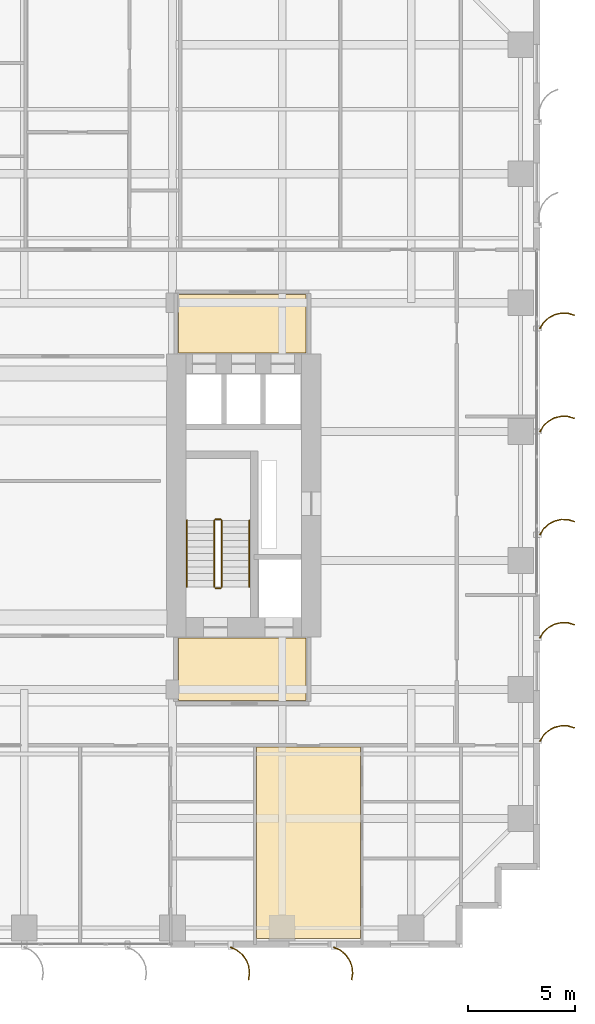
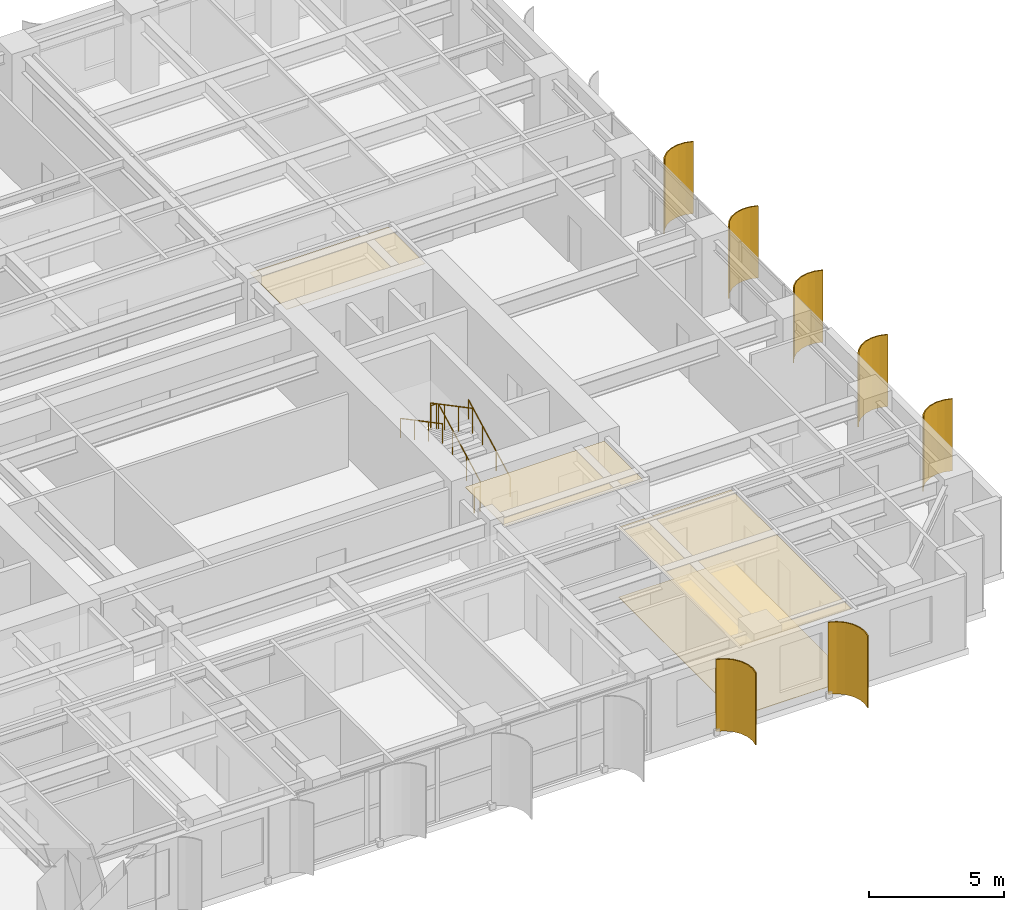
# One storey, part 23 of 24: 7 shading devices, 6 railings, 4 coverings.
"""IFC4 building model written with IfcOpenShell, lengths in metres."""

from ifc_helpers import new_model, si_unit, direction, frame, origin, origin_2d, place, context, subcontext, project, spatial, polyline, circle, outline, extrude, source, transform, mapped, material, layer, layer_set, type_object, element, save


model = new_model("IFC4")

# Units and contexts
model_context = context("Model", 3, precision=1e-05, world=origin(), true_north=direction((0.0, 1.0)))
body_context = subcontext(model_context, "Body", "Model", "MODEL_VIEW")
ifc_project = project(units=[si_unit("LENGTHUNIT", "METRE"), si_unit("AREAUNIT", "SQUARE_METRE"), si_unit("VOLUMEUNIT", "CUBIC_METRE"), si_unit("PLANEANGLEUNIT", "RADIAN"), si_unit("MASSUNIT", "GRAM", prefix="KILO")], contexts=[model_context])

# Site, building, storey
site_placement = place(None, origin())
site = spatial("IfcSite", under=ifc_project, at=site_placement, CompositionType="ELEMENT")
building_placement = place(site_placement, origin())
building = spatial("IfcBuilding", under=site, at=building_placement, Name="Khoralis Quay Care Tower", CompositionType="ELEMENT")
storey_placement = place(building_placement, frame((0.0, 0.0, 40.5)))
storey = spatial("IfcBuildingStorey", under=building, at=storey_placement, Name="L10", CompositionType="ELEMENT", Elevation=40.5)

# Coverings
ifc_material_1 = material(Name="Mineral-fibre acoustic ceiling tile")
ifc_layer_1 = layer(ifc_material_1, 0.01806640625)
ifc_layer_set_1 = layer_set([ifc_layer_1], Name="Mineral-fibre acoustic ceiling tile")
covering_type_1 = type_object("IfcCoveringType", Name="COV-CEIL-AC18", PredefinedType="CEILING", material=ifc_layer_set_1)
covering_1_placement = place(storey_placement, frame((0.0, 0.0, 3.172119140625)))
element("IfcCovering", 1, at=covering_1_placement, inside=storey, type_object=covering_type_1, Name="Suspended Acoustic Ceiling SP-L10-FFLOB-E", PredefinedType="CEILING", context=body_context, shape_type="SweptSolid", body=[
    extrude(outline(polyline([(31.179931640625, 11.47998046875), (37.1201171875, 11.47998046875), (37.1201171875, 14.39990234375), (31.179931640625, 14.39990234375), (31.179931640625, 11.47998046875)])), origin(), (0.0, 0.0, 1.0), 0.017822265625),
])
covering_2_placement = place(storey_placement, frame((0.0, 0.0, 3.172119140625)))
element("IfcCovering", 2, at=covering_2_placement, inside=storey, type_object=covering_type_1, Name="Suspended Acoustic Ceiling SP-L10-LLOB-E", PredefinedType="CEILING", context=body_context, shape_type="SweptSolid", body=[
    extrude(outline(polyline([(31.179931640625, 27.64990234375), (37.1201171875, 27.64990234375), (37.1201171875, 30.389892578125), (31.179931640625, 30.389892578125), (31.179931640625, 27.64990234375)])), origin(), (0.0, 0.0, 1.0), 0.017822265625),
])
covering_3_placement = place(storey_placement, frame((0.0, 0.0, 3.172119140625)))
element("IfcCovering", 3, at=covering_3_placement, inside=storey, type_object=covering_type_1, Name="Suspended Acoustic Ceiling SP-L10-SB-LIV4", PredefinedType="CEILING", context=body_context, shape_type="SweptSolid", body=[
    extrude(outline(polyline([(34.81005859375, 0.419921875), (39.636962890625, 0.419921875), (39.636962890625, 9.320068359375), (34.81005859375, 9.320068359375), (34.81005859375, 0.419921875)])), origin(), (0.0, 0.0, 1.0), 0.017822265625),
])
ifc_material_2 = material(Name="Porcelain and non-slip vinyl flooring")
ifc_layer_2 = layer(ifc_material_2, 0.02001953125)
ifc_layer_set_2 = layer_set([ifc_layer_2], Name="Porcelain and non-slip vinyl flooring")
covering_type_2 = type_object("IfcCoveringType", Name="COV-FLOOR-20", PredefinedType="FLOORING", material=ifc_layer_set_2)
covering_4_placement = place(storey_placement, origin())
element("IfcCovering", 4, at=covering_4_placement, inside=storey, type_object=covering_type_2, Name="Resilient Healthcare Flooring SP-L10-SB-LIV4", PredefinedType="FLOORING", context=body_context, shape_type="SweptSolid", body=[
    extrude(outline(polyline([(34.81005859375, 0.419921875), (39.636962890625, 0.419921875), (39.636962890625, 9.320068359375), (34.81005859375, 9.320068359375), (34.81005859375, 0.419921875)])), origin(), (0.0, 0.0, 1.0), 0.02001953125),
])

# Railings
ifc_material_3 = material(Name="Brushed stainless steel", Category="steel")
railing_type_1 = type_object("IfcRailingType", Name="RL-GUARD-1150", PredefinedType="GUARDRAIL", material=ifc_material_3)
railing_1_placement = place(storey_placement, frame((33.18994140625, 16.77001953125, 0.16357421875)))
element("IfcRailing", 5, at=railing_1_placement, inside=storey, type_object=railing_type_1, Name="L10 ST-T2 stair guard 1", PredefinedType="GUARDRAIL", context=body_context, shape_type="SweptSolid", body=[
    extrude(circle(Radius=0.02392578125, at=origin_2d()), frame((0.0, 0.0, 1.1259765625), z_axis=(0.0, 0.884348015382, 0.466828220752), x_axis=(-1.0, 0.0, 0.0)), (0.0, 0.0, 1.0), 3.505615234375),
    extrude(circle(Radius=0.02099609375, at=origin_2d()), origin(), (0.0, 0.0, 1.0), 1.101806640625),
    extrude(circle(Radius=0.02099609375, at=origin_2d()), frame((0.0, 1.033447265625, 0.54541015625)), (0.0, 0.0, 1.0), 1.101806640625),
    extrude(circle(Radius=0.02099609375, at=origin_2d()), frame((0.0, 2.066650390625, 1.091064453125)), (0.0, 0.0, 1.0), 1.101806640625),
    extrude(circle(Radius=0.02099609375, at=origin_2d()), frame((0.0, 3.10009765625, 1.636474609375)), (0.0, 0.0, 1.0), 1.101806640625),
])
railing_2_placement = place(storey_placement, frame((33.139892578125, 19.919921875, 1.800048828125)))
element("IfcRailing", 6, at=railing_2_placement, inside=storey, type_object=railing_type_1, Name="L10 ST-T2 stair guard 2", PredefinedType="GUARDRAIL", context=body_context, shape_type="SweptSolid", body=[
    extrude(circle(Radius=0.02392578125, at=origin_2d()), frame((0.0, 0.0, 1.1259765625), z_axis=(-1.0, 0.0, 0.0), x_axis=(0.0, -1.0, 0.0)), (0.0, 0.0, 1.0), 0.239990234375),
    extrude(circle(Radius=0.02099609375, at=origin_2d()), origin(), (0.0, 0.0, 1.0), 1.101806640625),
    extrude(circle(Radius=0.02099609375, at=origin_2d()), frame((-0.239990234375, 0.0, 0.0)), (0.0, 0.0, 1.0), 1.101806640625),
])
railing_3_placement = place(storey_placement, frame((32.85009765625, 19.8701171875, 1.963623046875)))
element("IfcRailing", 7, at=railing_3_placement, inside=storey, type_object=railing_type_1, Name="L10 ST-T2 stair guard 3", PredefinedType="GUARDRAIL", context=body_context, shape_type="SweptSolid", body=[
    extrude(circle(Radius=0.02392578125, at=origin_2d()), frame((0.0, 0.0, 1.1259765625), z_axis=(0.0, -0.884348015382, 0.466828220752), x_axis=(1.0, 0.0, 0.0)), (0.0, 0.0, 1.0), 3.505615234375),
    extrude(circle(Radius=0.02099609375, at=origin_2d()), origin(), (0.0, 0.0, 1.0), 1.101806640625),
    extrude(circle(Radius=0.02099609375, at=origin_2d()), frame((0.0, -1.033447265625, 0.54541015625)), (0.0, 0.0, 1.0), 1.101806640625),
    extrude(circle(Radius=0.02099609375, at=origin_2d()), frame((0.0, -2.066650390625, 1.091064453125)), (0.0, 0.0, 1.0), 1.101806640625),
    extrude(circle(Radius=0.02099609375, at=origin_2d()), frame((0.0, -3.10009765625, 1.636474609375)), (0.0, 0.0, 1.0), 1.101806640625),
])
railing_4_placement = place(storey_placement, frame((33.139892578125, 16.719970703125, 0.0)))
element("IfcRailing", 8, at=railing_4_placement, inside=storey, type_object=railing_type_1, Name="L10 ST-T2 stair guard 4", PredefinedType="GUARDRAIL", context=body_context, shape_type="SweptSolid", body=[
    extrude(circle(Radius=0.02392578125, at=origin_2d()), frame((0.0, 0.0, 1.1259765625), z_axis=(-1.0, 0.0, 0.0), x_axis=(0.0, -1.0, 0.0)), (0.0, 0.0, 1.0), 0.239990234375),
    extrude(circle(Radius=0.02099609375, at=origin_2d()), origin(), (0.0, 0.0, 1.0), 1.101806640625),
    extrude(circle(Radius=0.02099609375, at=origin_2d()), frame((-0.239990234375, 0.0, 0.0)), (0.0, 0.0, 1.0), 1.101806640625),
])
railing_type_2 = type_object("IfcRailingType", Name="RL-HAND-900", PredefinedType="HANDRAIL", material=ifc_material_3)
railing_5_placement = place(storey_placement, frame((34.469970703125, 16.77001953125, 0.16357421875)))
element("IfcRailing", 9, at=railing_5_placement, inside=storey, type_object=railing_type_2, Name="L10 ST-T2 stair handrail 1", PredefinedType="HANDRAIL", context=body_context, shape_type="SweptSolid", body=[
    extrude(circle(Radius=0.02392578125, at=origin_2d()), frame((0.0, 0.0, 0.8759765625), z_axis=(0.0, 0.884348015382, 0.466828220752), x_axis=(-1.0, 0.0, 0.0)), (0.0, 0.0, 1.0), 3.505615234375),
    extrude(circle(Radius=0.02099609375, at=origin_2d()), origin(), (0.0, 0.0, 1.0), 0.851806640625),
    extrude(circle(Radius=0.02099609375, at=origin_2d()), frame((0.0, 1.033447265625, 0.54541015625)), (0.0, 0.0, 1.0), 0.851806640625),
    extrude(circle(Radius=0.02099609375, at=origin_2d()), frame((0.0, 2.066650390625, 1.091064453125)), (0.0, 0.0, 1.0), 0.851806640625),
    extrude(circle(Radius=0.02099609375, at=origin_2d()), frame((0.0, 3.10009765625, 1.636474609375)), (0.0, 0.0, 1.0), 0.851806640625),
])
railing_6_placement = place(storey_placement, frame((31.570068359375, 19.8701171875, 1.963623046875)))
element("IfcRailing", 10, at=railing_6_placement, inside=storey, type_object=railing_type_2, Name="L10 ST-T2 stair handrail 2", PredefinedType="HANDRAIL", context=body_context, shape_type="SweptSolid", body=[
    extrude(circle(Radius=0.02392578125, at=origin_2d()), frame((0.0, 0.0, 0.8759765625), z_axis=(0.0, -0.884348015382, 0.466828220752), x_axis=(1.0, 0.0, 0.0)), (0.0, 0.0, 1.0), 3.505615234375),
    extrude(circle(Radius=0.02099609375, at=origin_2d()), origin(), (0.0, 0.0, 1.0), 0.851806640625),
    extrude(circle(Radius=0.02099609375, at=origin_2d()), frame((0.0, -1.033447265625, 0.54541015625)), (0.0, 0.0, 1.0), 0.851806640625),
    extrude(circle(Radius=0.02099609375, at=origin_2d()), frame((0.0, -2.066650390625, 1.091064453125)), (0.0, 0.0, 1.0), 0.851806640625),
    extrude(circle(Radius=0.02099609375, at=origin_2d()), frame((0.0, -3.10009765625, 1.636474609375)), (0.0, 0.0, 1.0), 0.851806640625),
])

# Shading devices
ifc_material_4 = material(Name="Brushed pale anodised aluminium", Category="aluminium")
ifc_layer_3 = layer(ifc_material_4, 0.044921875)
ifc_layer_set_3 = layer_set([ifc_layer_3], Name="Brushed pale anodised aluminium")
shading_device_type = type_object("IfcShadingDeviceType", Name="SHD-FIN-1250", PredefinedType="USERDEFINED", material=ifc_layer_set_3)
shared_shape_1 = source(origin(), body_context, "Body", "SweptSolid", [
    extrude(outline(polyline([(0.0, 0.0), (0.130126953125, 0.29931640625), (0.333251953125, 0.5546875), (0.595458984375, 0.748779296875), (0.899169921875, 0.868408203125), (1.223388671875, 0.9052734375), (1.546142578125, 0.85693359375), (1.53369140625, 0.813720703125), (1.22265625, 0.8603515625), (0.91015625, 0.82470703125), (0.617431640625, 0.70947265625), (0.364501953125, 0.522216796875), (0.168701171875, 0.276123046875), (0.043212890625, -0.012451171875), (0.0, 0.0)])), origin(), (0.0, 0.0, 1.0), 3.260009765625),
])
for number, where, z_axis, x_axis, name in (
    (11, (33.60009765625, 0.030029296875, 0.02001953125), (0.0, 0.0, 1.0), (0.0, -1.0, 0.0), "L10 Curved Solar Fin P1E0-06"),
    (12, (38.39990234375, 0.030029296875, 0.02001953125), (0.0, 0.0, 1.0), (0.0, -1.0, 0.0), "L10 Curved Solar Fin P1E0-07"),
):
    element("IfcShadingDevice", number, at=place(storey_placement, frame(where, z_axis=z_axis, x_axis=x_axis)), inside=storey, type_object=shading_device_type, Name=name, ObjectType="FIN", PredefinedType="USERDEFINED", context=body_context, shape_type="MappedRepresentation", body=[
        mapped(shared_shape_1, transform((0.0, 0.0, 0.0), scale=1.0)),
    ])
shared_shape_2 = source(origin(), body_context, "Body", "SweptSolid", [
    extrude(outline(polyline([(0.0, 0.0), (0.17041015625, 0.2783203125), (0.4072265625, 0.5029296875), (0.694091796875, 0.658447265625), (1.01123046875, 0.734619140625), (1.33740234375, 0.72607421875), (1.650390625, 0.633544921875), (1.632080078125, 0.59228515625), (1.330322265625, 0.681640625), (1.015869140625, 0.68994140625), (0.710205078125, 0.616455078125), (0.43359375, 0.466552734375), (0.20556640625, 0.25), (0.041015625, -0.018310546875), (0.0, 0.0)])), origin(), (0.0, 0.0, 1.0), 3.260009765625),
])
for number, where, z_axis, x_axis, name in (
    (13, (47.969970703125, 9.60009765625, 0.02001953125), (0.0, 0.0, 1.0), (1.0, 0.0, 0.0), "L10 Curved Solar Fin P1E5-01"),
    (14, (47.969970703125, 14.39990234375, 0.02001953125), (0.0, 0.0, 1.0), (1.0, 0.0, 0.0), "L10 Curved Solar Fin P1E5-02"),
    (15, (47.969970703125, 19.199951171875, 0.02001953125), (0.0, 0.0, 1.0), (1.0, 0.0, 0.0), "L10 Curved Solar Fin P1E5-03"),
    (16, (47.969970703125, 24.0, 0.02001953125), (0.0, 0.0, 1.0), (1.0, 0.0, 0.0), "L10 Curved Solar Fin P1E5-04"),
    (17, (47.969970703125, 28.800048828125, 0.02001953125), (0.0, 0.0, 1.0), (1.0, 0.0, 0.0), "L10 Curved Solar Fin P1E5-05"),
):
    element("IfcShadingDevice", number, at=place(storey_placement, frame(where, z_axis=z_axis, x_axis=x_axis)), inside=storey, type_object=shading_device_type, Name=name, ObjectType="FIN", PredefinedType="USERDEFINED", context=body_context, shape_type="MappedRepresentation", body=[
        mapped(shared_shape_2, transform((0.0, 0.0, 0.0), scale=1.0)),
    ])

save(model, "model.ifc")
